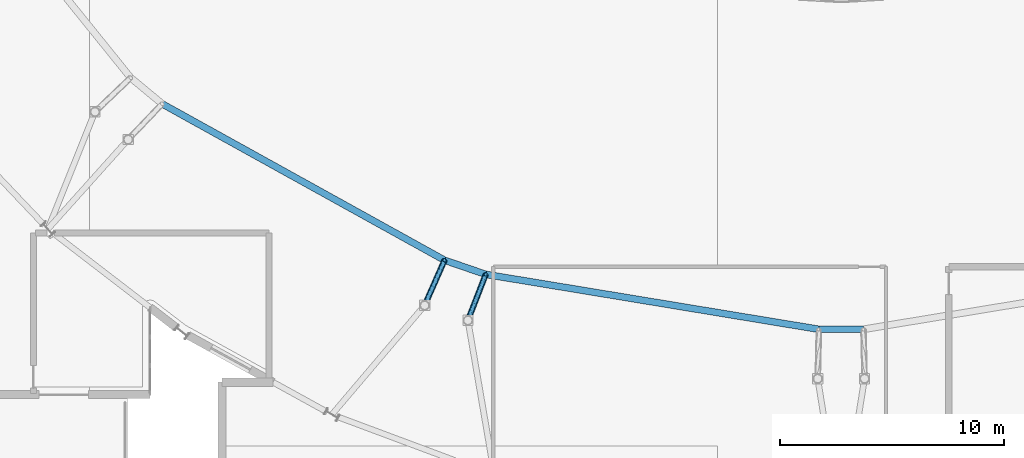
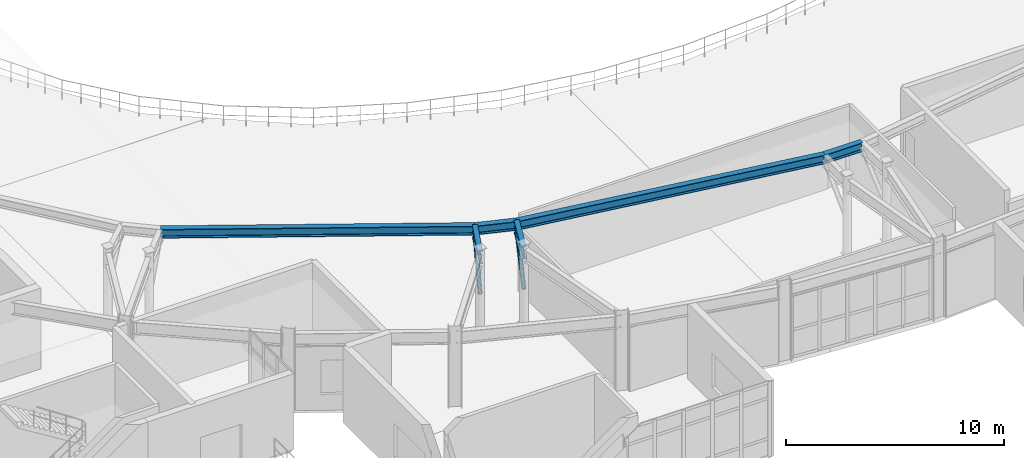
# One storey, part 20 of 48: 6 beams, 2 members.
"""IFC4 building model written with IfcOpenShell, lengths in metres."""

from ifc_helpers import new_model, si_unit, direction, frame, origin, origin_2d, place, context, subcontext, project, spatial, hollow_circle, i_section, extrude, material, material_profile, profile_set, type_object, element, save


model = new_model("IFC4")

# Units and contexts
model_context = context("Model", 3, precision=1e-05, world=origin(), true_north=direction((0.0, 1.0)))
body_context = subcontext(model_context, "Body", "Model", "MODEL_VIEW")
ifc_project = project(units=[si_unit("LENGTHUNIT", "METRE"), si_unit("AREAUNIT", "SQUARE_METRE"), si_unit("VOLUMEUNIT", "CUBIC_METRE"), si_unit("PLANEANGLEUNIT", "RADIAN"), si_unit("MASSUNIT", "GRAM", prefix="KILO")], contexts=[model_context])

# Site, building, storey
site_placement = place(None, origin())
site = spatial("IfcSite", under=ifc_project, at=site_placement, CompositionType="ELEMENT")
building_placement = place(site_placement, origin())
building = spatial("IfcBuilding", under=site, at=building_placement, Name="Glasvene Arena", CompositionType="ELEMENT")
storey_placement = place(building_placement, frame((0.0, 0.0, 19.5)))
storey = spatial("IfcBuildingStorey", under=building, at=storey_placement, Name="L04", CompositionType="ELEMENT", Elevation=19.5)

# Beams
ifc_material = material(Name="Steel S355J2", Category="steel")
ifc_material_profile_1 = material_profile(ifc_material, i_section(OverallWidth=0.300048828125, OverallDepth=0.5, WebThickness=0.014404296875, FlangeThickness=0.028076171875, FilletRadius=0.027099609375, at=origin_2d()), Name="HEB 500")
ifc_profile_set_1 = profile_set([ifc_material_profile_1], Name="Steel S355J2")
beam_type_1 = type_object("IfcBeamType", Name="BM-EAVE-CANT", PredefinedType="BEAM", material=ifc_profile_set_1)
beam_1_placement = place(storey_placement, frame((61.739501953125, 46.75634765625, 4.0), z_axis=(0.87482167475, -0.484445081911, 0.0), x_axis=(0.484445081911, 0.87482167475, 0.0)))
element("IfcBeam", 1, at=beam_1_placement, inside=storey, type_object=beam_type_1, Name="Gondola inner ring girder 21", PredefinedType="BEAM", context=body_context, shape_type="SweptSolid", body=[
    extrude(i_section(OverallWidth=0.300048828125, OverallDepth=0.5, WebThickness=0.014404296875, FlangeThickness=0.028076171875, FilletRadius=0.027099609375, at=origin_2d()), origin(), (0.0, 0.0, 1.0), 14.385986328125),
])
beam_2_placement = place(storey_placement, frame((74.32470703125, 39.787109375, 4.0), z_axis=(0.945777169561, -0.324816171915, 0.0), x_axis=(0.324816171915, 0.945777169561, 0.0)))
element("IfcBeam", 2, at=beam_2_placement, inside=storey, type_object=beam_type_1, Name="Gondola inner ring girder 22", PredefinedType="BEAM", context=body_context, shape_type="SweptSolid", body=[
    extrude(i_section(OverallWidth=0.300048828125, OverallDepth=0.5, WebThickness=0.014404296875, FlangeThickness=0.028076171875, FilletRadius=0.027099609375, at=origin_2d()), origin(), (0.0, 0.0, 1.0), 1.94140625),
])
beam_3_placement = place(storey_placement, frame((76.160888671875, 39.156494140625, 4.0), z_axis=(0.98668314194, -0.16265416506, 0.0), x_axis=(0.16265416506, 0.98668314194, 0.0)))
element("IfcBeam", 3, at=beam_3_placement, inside=storey, type_object=beam_type_1, Name="Gondola inner ring girder 23", PredefinedType="BEAM", context=body_context, shape_type="SweptSolid", body=[
    extrude(i_section(OverallWidth=0.300048828125, OverallDepth=0.5, WebThickness=0.014404296875, FlangeThickness=0.028076171875, FilletRadius=0.027099609375, at=origin_2d()), origin(), (0.0, 0.0, 1.0), 15.0458984375),
])
beam_4_placement = place(storey_placement, frame((91.00634765625, 36.709228515625, 4.0), z_axis=(1.0, 0.0, 0.0), x_axis=(0.0, 1.0, 0.0)))
element("IfcBeam", 4, at=beam_4_placement, inside=storey, type_object=beam_type_1, Name="Gondola inner ring girder 24", PredefinedType="BEAM", context=body_context, shape_type="SweptSolid", body=[
    extrude(i_section(OverallWidth=0.300048828125, OverallDepth=0.5, WebThickness=0.014404296875, FlangeThickness=0.028076171875, FilletRadius=0.027099609375, at=origin_2d()), origin(), (0.0, 0.0, 1.0), 1.9873046875),
])
ifc_material_profile_2 = material_profile(ifc_material, i_section(OverallWidth=0.253662109375, OverallDepth=0.68359375, WebThickness=0.012451171875, FlangeThickness=0.01904296875, FilletRadius=0.01513671875, at=origin_2d()), Name="UKB 686x254x140")
ifc_profile_set_2 = profile_set([ifc_material_profile_2], Name="Steel S355J2")
beam_type_2 = type_object("IfcBeamType", Name="BM-GIRD-686", PredefinedType="BEAM", material=ifc_profile_set_2)
for number, where, z_axis, x_axis, name in (
    (5, (74.32470703125, 39.787109375, 3.908203125), (-0.403500861831, -0.91497926452, 0.0), (0.91497926452, -0.403500861831, 0.0), "Gondola inner bracket beam 22"),
    (6, (76.160888671875, 39.156494140625, 3.908203125), (-0.361669603408, -0.932306332688, 0.0), (0.932306332688, -0.361669603408, 0.0), "Gondola inner bracket beam 23"),
):
    element("IfcBeam", number, at=place(storey_placement, frame(where, z_axis=z_axis, x_axis=x_axis)), inside=storey, type_object=beam_type_2, Name=name, PredefinedType="BEAM", context=body_context, shape_type="SweptSolid", body=[
        extrude(i_section(OverallWidth=0.253662109375, OverallDepth=0.68359375, WebThickness=0.012451171875, FlangeThickness=0.01904296875, FilletRadius=0.01513671875, at=origin_2d()), origin(), (0.0, 0.0, 1.0), 2.199951171875),
    ])

# Members
ifc_material_profile_3 = material_profile(ifc_material, hollow_circle(Radius=0.109619140625, WallThickness=0.010009765625, at=origin_2d()), Name="CHS 219.1x10.0")
ifc_profile_set_3 = profile_set([ifc_material_profile_3], Name="Steel S355J2")
member_type = type_object("IfcMemberType", Name="MB-WEB-CHS219", PredefinedType="BRACE", material=ifc_profile_set_3)
for number, where, z_axis, x_axis, name in (
    (7, (73.43701171875, 37.774169921875, 1.89990234375), (0.298565455376, 0.677027552138, 0.672675525423), (-0.91497926452, 0.403500861831, 0.0), "Gondola inclined knee strut 22"),
    (8, (75.365234375, 37.10546875, 1.89990234375), (0.267610967033, 0.689843428671, 0.672681510258), (-0.932306332688, 0.361669603408, 0.0), "Gondola inclined knee strut 23"),
):
    element("IfcMember", number, at=place(storey_placement, frame(where, z_axis=z_axis, x_axis=x_axis)), inside=storey, type_object=member_type, Name=name, PredefinedType="BRACE", context=body_context, shape_type="SweptSolid", body=[
        extrude(hollow_circle(Radius=0.109619140625, WallThickness=0.010009765625, at=origin_2d()), origin(), (0.0, 0.0, 1.0), 2.97314453125),
    ])

save(model, "model.ifc")
